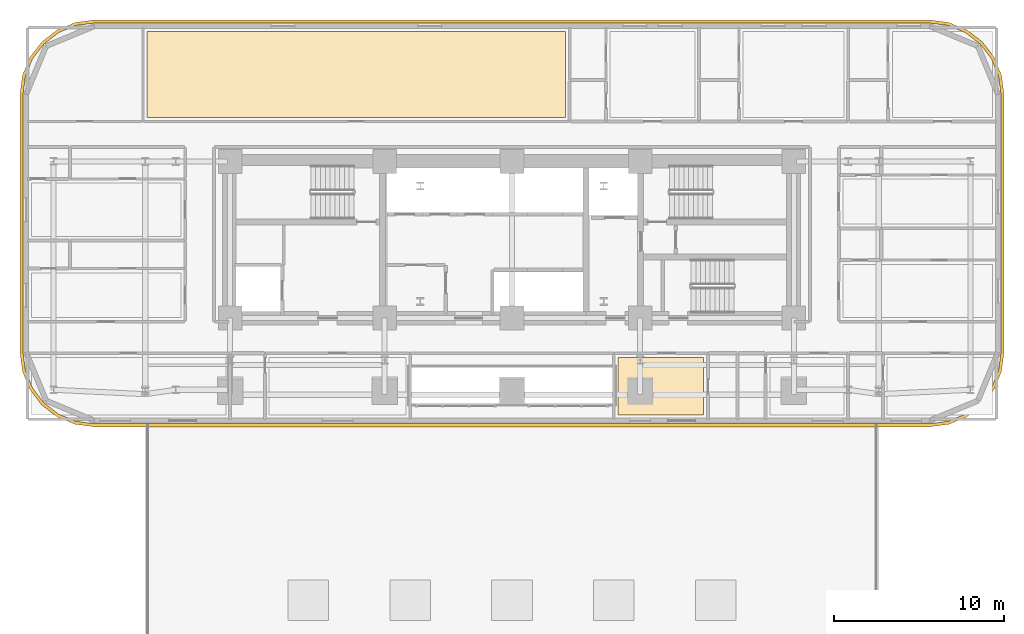
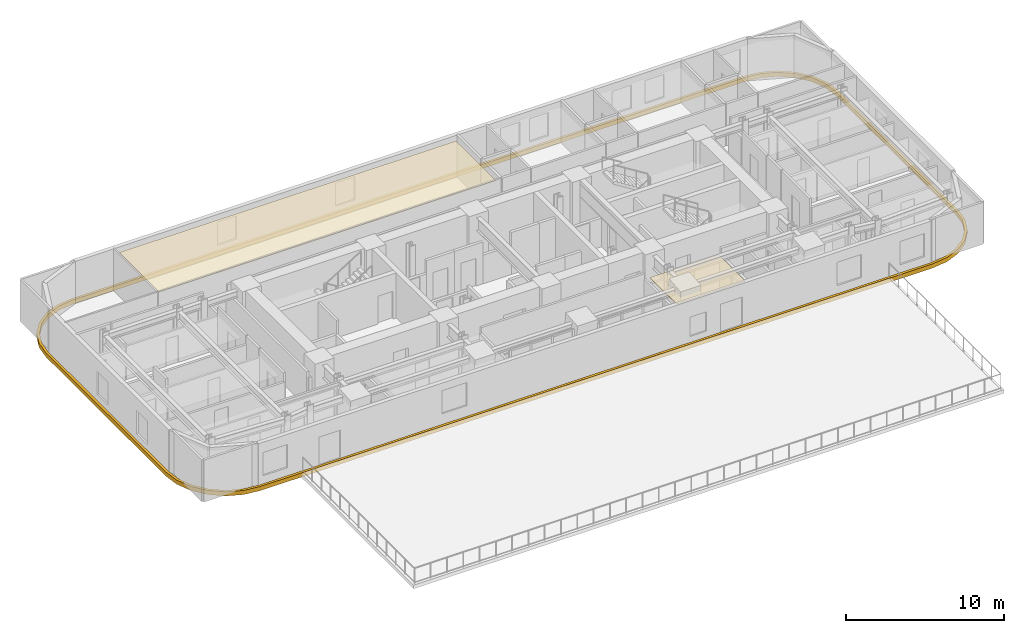
# One storey, part 14 of 15: 3 coverings.
"""IFC4 building model written with IfcOpenShell, lengths in metres."""

from ifc_helpers import new_model, si_unit, direction, frame, origin, place, context, subcontext, project, spatial, polyline, outline, extrude, material, layer, layer_set, type_object, element, save


model = new_model("IFC4")

# Units and contexts
model_context = context("Model", 3, precision=1e-05, world=origin(), true_north=direction((0.0, 1.0)))
body_context = subcontext(model_context, "Body", "Model", "MODEL_VIEW")
ifc_project = project(units=[si_unit("LENGTHUNIT", "METRE"), si_unit("AREAUNIT", "SQUARE_METRE"), si_unit("VOLUMEUNIT", "CUBIC_METRE"), si_unit("PLANEANGLEUNIT", "RADIAN"), si_unit("MASSUNIT", "GRAM", prefix="KILO")], contexts=[model_context])

# Site, building, storey
site_placement = place(None, origin())
site = spatial("IfcSite", under=ifc_project, at=site_placement, CompositionType="ELEMENT")
building_placement = place(site_placement, origin())
building = spatial("IfcBuilding", under=site, at=building_placement, Name="Zarnavel Station Tower", CompositionType="ELEMENT")
storey_placement = place(building_placement, frame((0.0, 0.0, 29.0)))
storey = spatial("IfcBuildingStorey", under=building, at=storey_placement, Name="L07", CompositionType="ELEMENT", Elevation=29.0)

# Coverings
ifc_material_1 = material(Name="Perforated Gypsum and Mineral-Wool Acoustic Ceiling", Category="concrete")
ifc_layer = layer(ifc_material_1, 0.0400390625)
ifc_layer_set = layer_set([ifc_layer], Name="COV_CEIL_ACOUSTIC")
covering_type_1 = type_object("IfcCoveringType", Name="COV_CEIL_ACOUSTIC", PredefinedType="CEILING", material=ifc_layer_set)
covering_1_placement = place(storey_placement, frame((0.0, 0.0, 2.919921875)))
element("IfcCovering", 1, at=covering_1_placement, inside=storey, type_object=covering_type_1, Name="L07 NCLB Acoustic Ceiling", PredefinedType="CEILING", context=body_context, shape_type="SweptSolid", body=[
    extrude(outline(polyline([(7.31005859375, 39.64990234375), (31.949951171875, 39.64990234375), (31.949951171875, 44.68994140625), (7.31005859375, 44.68994140625), (7.31005859375, 39.64990234375)])), origin(), (0.0, 0.0, 1.0), 0.0400390625),
])
covering_2_placement = place(storey_placement, frame((0.0, 0.0, 2.919921875)))
element("IfcCovering", 2, at=covering_2_placement, inside=storey, type_object=covering_type_1, Name="L07 HE1R Acoustic Ceiling", PredefinedType="CEILING", context=body_context, shape_type="SweptSolid", body=[
    extrude(outline(polyline([(35.050048828125, 22.110107421875), (40.092041015625, 22.110107421875), (40.092041015625, 25.5), (35.050048828125, 25.5), (35.050048828125, 22.110107421875)])), origin(), (0.0, 0.0, 1.0), 0.0400390625),
])
ifc_material_2 = material(Name="Precast concrete C45/55 (Pale Travertine Slab Band)", Category="masonry")
covering_type_2 = type_object("IfcCoveringType", Name="COV_TRAVERTINE_BAND", PredefinedType="CLADDING", material=ifc_material_2)
covering_3_placement = place(storey_placement, frame((0.0, 0.0, -0.260009765625)))
element("IfcCovering", 3, at=covering_3_placement, inside=storey, type_object=covering_type_2, Name="L07 Pale Travertine Slab-Edge Band", PredefinedType="CLADDING", context=body_context, shape_type="SweptSolid", body=[
    extrude(outline(polyline([(53.39990234375, 21.419921875), (54.53369140625, 21.569091796875), (55.590087890625, 22.0068359375), (56.4970703125, 22.702880859375), (57.193115234375, 23.610107421875), (57.630859375, 24.66650390625), (57.780029296875, 25.800048828125), (57.780029296875, 41.0), (57.630859375, 42.133544921875), (57.193115234375, 43.18994140625), (56.4970703125, 44.09716796875), (55.590087890625, 44.793212890625), (54.53369140625, 45.230712890625), (53.39990234375, 45.3798828125), (4.199951171875, 45.3798828125), (3.06640625, 45.230712890625), (2.010009765625, 44.793212890625), (1.102783203125, 44.09716796875), (0.40673828125, 43.18994140625), (-0.03076171875, 42.133544921875), (-0.179931640625, 41.0), (-0.179931640625, 25.800048828125), (-0.03076171875, 24.66650390625), (0.40673828125, 23.610107421875), (1.102783203125, 22.702880859375), (2.010009765625, 22.0068359375), (3.06640625, 21.569091796875), (4.199951171875, 21.419921875), (53.39990234375, 21.419921875)]), holes=[polyline([(53.39990234375, 21.60009765625), (54.487060546875, 21.7431640625), (55.5, 22.16259765625), (56.369873046875, 22.830078125), (57.037353515625, 23.699951171875), (57.456787109375, 24.712890625), (57.60009765625, 25.800048828125), (57.60009765625, 41.0), (57.456787109375, 42.0869140625), (57.037353515625, 43.10009765625), (56.369873046875, 43.9697265625), (55.5, 44.63720703125), (54.487060546875, 45.056884765625), (53.39990234375, 45.199951171875), (4.199951171875, 45.199951171875), (3.113037109375, 45.056884765625), (2.10009765625, 44.63720703125), (1.230224609375, 43.9697265625), (0.562744140625, 43.10009765625), (0.14306640625, 42.0869140625), (0.0, 41.0), (0.0, 25.800048828125), (0.14306640625, 24.712890625), (0.562744140625, 23.699951171875), (1.230224609375, 22.830078125), (2.10009765625, 22.16259765625), (3.113037109375, 21.7431640625), (4.199951171875, 21.60009765625), (53.39990234375, 21.60009765625)])]), origin(), (0.0, 0.0, 1.0), 0.320068359375),
])

save(model, "model.ifc")
